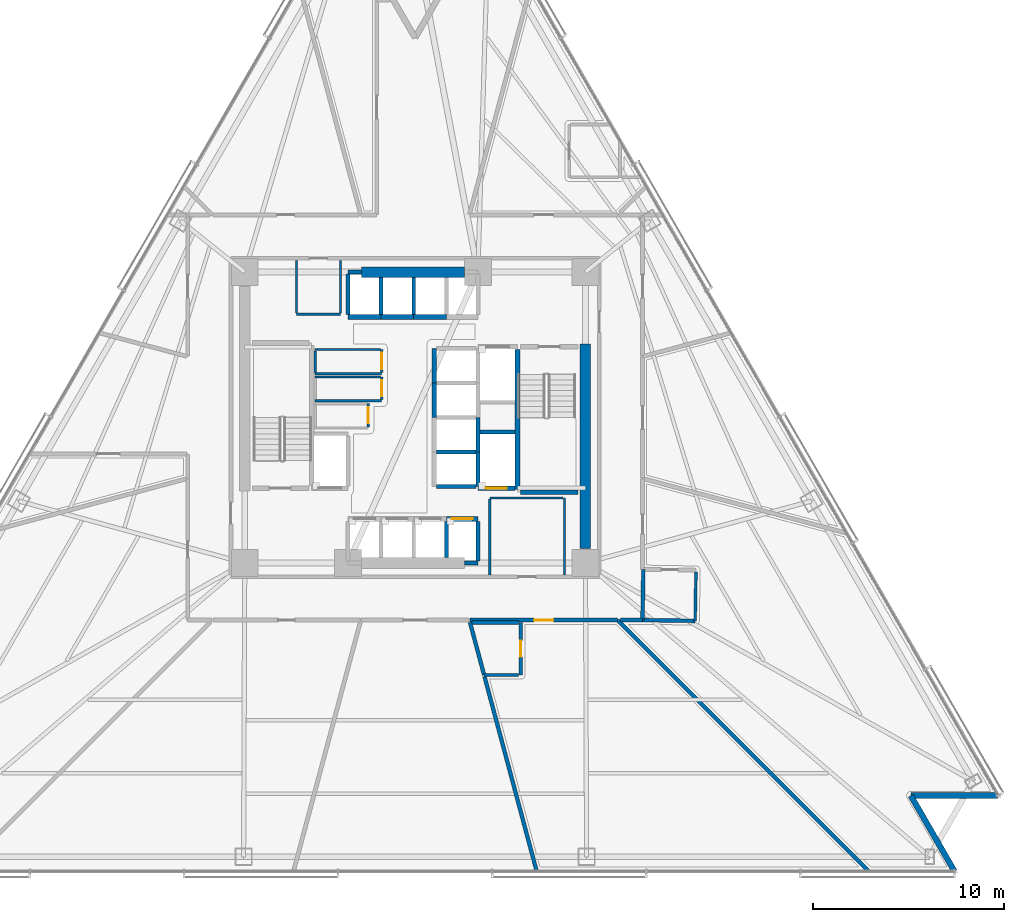
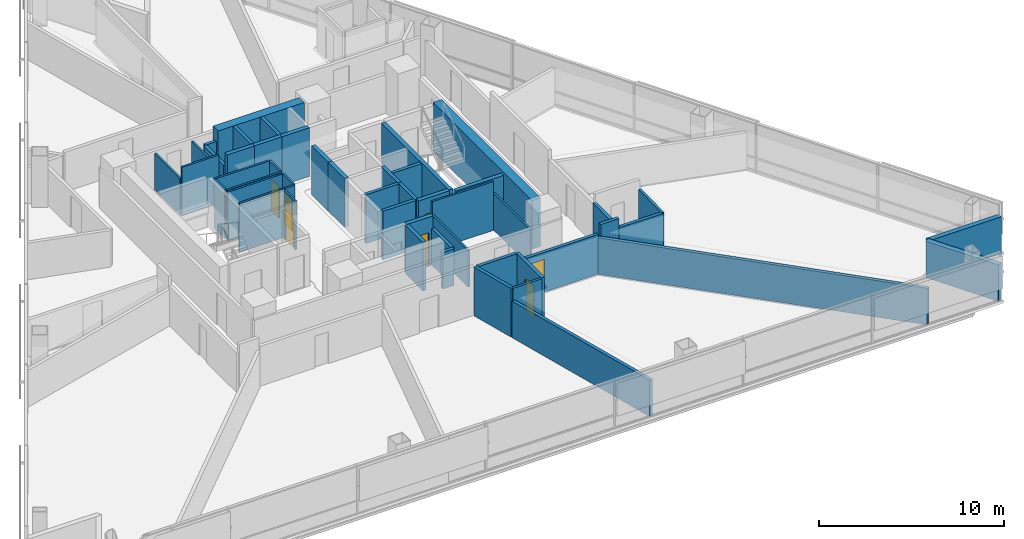
# One storey, part 8 of 16: 50 walls, 7 doors, 7 openings.
"""IFC4 building model written with IfcOpenShell, lengths in metres."""

from ifc_helpers import new_model, si_unit, direction, frame, frame_2d, origin, place, context, subcontext, project, spatial, rectangle, extrude, material, layer, layer_set, type_object, element, fill, save


model = new_model("IFC4")

# Units and contexts
model_context = context("Model", 3, precision=1e-05, world=origin(), true_north=direction((0.0, 1.0)))
body_context = subcontext(model_context, "Body", "Model", "MODEL_VIEW")
ifc_project = project(units=[si_unit("LENGTHUNIT", "METRE"), si_unit("AREAUNIT", "SQUARE_METRE"), si_unit("VOLUMEUNIT", "CUBIC_METRE"), si_unit("PLANEANGLEUNIT", "RADIAN"), si_unit("MASSUNIT", "GRAM", prefix="KILO")], contexts=[model_context])

# Site, building, storey
site_placement = place(None, origin())
site = spatial("IfcSite", under=ifc_project, at=site_placement, CompositionType="ELEMENT")
building_placement = place(site_placement, origin())
building = spatial("IfcBuilding", under=site, at=building_placement, Name="Tharavind Bronze Gate", CompositionType="ELEMENT")
storey_placement = place(building_placement, frame((0.0, 0.0, 48.85009765625)))
storey = spatial("IfcBuildingStorey", under=building, at=storey_placement, Name="L11", CompositionType="ELEMENT", Elevation=48.85009765625)

# Walls
ifc_material_1 = material(Name="Concrete C40/50", Category="concrete")
ifc_layer_1 = layer(ifc_material_1, 0.300048828125)
ifc_layer_set_1 = layer_set([ifc_layer_1], Name="Concrete C40/50")
wall_type_1 = type_object("IfcWallType", Name="EXTERIOR SPANDREL WALL 300", PredefinedType="STANDARD", material=ifc_layer_set_1)
wall_1_placement = place(storey_placement, frame((28.17578125, -23.699951171875, 0.0), z_axis=(0.0, 0.0, 1.0), x_axis=(-0.500014431597, 0.866017071537, 0.0)))
element("IfcWall", 1, at=wall_1_placement, inside=storey, type_object=wall_type_1, Name="L11 notch cheek wall 3A", PredefinedType="STANDARD", context=body_context, shape_type="SweptSolid", body=[
    extrude(rectangle(XDim=4.559814453125, YDim=0.300048828125, at=frame_2d((2.27978515625, 0.0))), origin(), (0.0, 0.0, 1.0), 2.419921875),
])
wall_2_placement = place(storey_placement, frame((25.895751953125, -19.7509765625, 0.0), z_axis=(0.0, 0.0, 1.0), x_axis=(1.0, 0.0, 0.0)))
element("IfcWall", 2, at=wall_2_placement, inside=storey, type_object=wall_type_1, Name="L11 notch cheek wall 3B", PredefinedType="STANDARD", context=body_context, shape_type="SweptSolid", body=[
    extrude(rectangle(XDim=4.56005859375, YDim=0.300048828125, at=frame_2d((2.280029296875, 0.0))), origin(), (0.0, 0.0, 1.0), 2.419921875),
])

# Wall, opening, door
ifc_material_2 = material(Name="Aerated Concrete Block", Category="concrete")
ifc_layer_2 = layer(ifc_material_2, 0.199951171875)
ifc_layer_set_2 = layer_set([ifc_layer_2], Name="Aerated Concrete Block")
wall_type_2 = type_object("IfcWallType", Name="FIRE RATED PARTITION 200", PredefinedType="PARTITIONING", material=ifc_layer_set_2)
wall_3_placement = place(storey_placement, frame((5.51708984375, -10.699951171875, 0.0), z_axis=(0.0, 0.0, 1.0), x_axis=(0.0, -1.0, 0.0)))
wall_3 = element("IfcWall", 3, at=wall_3_placement, inside=storey, type_object=wall_type_2, Name="L11 En-Suite Bathroom partition", PredefinedType="PARTITIONING", context=body_context, shape_type="SweptSolid", body=[
    extrude(rectangle(XDim=2.75, YDim=0.199951171875, at=frame_2d((1.375, 0.0))), origin(), (0.0, 0.0, 1.0), 3.224853515625),
])
opening_1_placement = place(wall_3_placement, frame((0.949951171875, 0.0, 0.0)))
opening_1 = element("IfcOpeningElement", 4, at=opening_1_placement, cuts=wall_3, Name="Opening ID06", PredefinedType="OPENING", context=body_context, shape_type="SweptSolid", body=[
    extrude(rectangle(XDim=0.85009765625, YDim=2.10009765625, at=frame_2d((0.425048828125, 1.050048828125))), frame((0.0, 0.11009765625, 0.0), z_axis=(0.0, -1.0, 0.0), x_axis=(1.0, 0.0, 0.0)), (0.0, 0.0, 1.0), 0.219951171875),
])
ifc_material_3 = material(Name="Moisture-Resistant Timber", Category="wood")
door_type_1 = type_object("IfcDoorType", Name="BATHROOM PRIVACY DOOR 850X2100", OperationType="SINGLE_SWING_RIGHT", PredefinedType="DOOR", material=ifc_material_3)
door_1_placement = place(opening_1_placement, origin())
door_1 = element("IfcDoor", 5, at=door_1_placement, inside=storey, type_object=door_type_1, Name="L11 En-Suite Bathroom door", OperationType="SINGLE_SWING_RIGHT", OverallHeight=2.10009765625, OverallWidth=0.85009765625, PredefinedType="DOOR", context=body_context, shape_type="SweptSolid", body=[
    extrude(rectangle(XDim=0.85009765625, YDim=2.10009765625, at=frame_2d((0.425048828125, 1.050048828125))), frame((0.0, 0.02490234375, 0.0), z_axis=(0.0, -1.0, 0.0), x_axis=(1.0, 0.0, 0.0)), (0.0, 0.0, 1.0), 0.050048828125),
])
fill(opening_1, door_1)

# Walls
wall_4_placement = place(storey_placement, frame((3.60400390625, -13.449951171875, 0.0), z_axis=(0.0, 0.0, 1.0), x_axis=(-0.258804667121, 0.965929678743, 0.0)))
element("IfcWall", 6, at=wall_4_placement, inside=storey, type_object=wall_type_2, Name="L11 En-Suite Bathroom partition", PredefinedType="PARTITIONING", context=body_context, shape_type="SweptSolid", body=[
    extrude(rectangle(XDim=2.846923828125, YDim=0.199951171875, at=frame_2d((1.42333984375, 0.0))), origin(), (0.0, 0.0, 1.0), 3.224853515625),
])
wall_5_placement = place(storey_placement, frame((2.975830078125, -10.699951171875, 0.0), z_axis=(0.0, 0.0, 1.0), x_axis=(1.0, 0.0, 0.0)))
element("IfcWall", 7, at=wall_5_placement, inside=storey, type_object=wall_type_2, Name="L11 En-Suite Bathroom partition", PredefinedType="PARTITIONING", context=body_context, shape_type="SweptSolid", body=[
    extrude(rectangle(XDim=2.436279296875, YDim=0.199951171875, at=frame_2d((1.21826171875, 0.0))), origin(), (0.0, 0.0, 1.0), 3.224853515625),
])
wall_6_placement = place(storey_placement, frame((14.629638671875, -10.624755859375, 0.0), z_axis=(0.0, 0.0, 1.0), x_axis=(-0.999868029143, 0.016245747077, 0.0)))
element("IfcWall", 8, at=wall_6_placement, inside=storey, type_object=wall_type_2, Name="L11 En-Suite Bathroom partition", PredefinedType="PARTITIONING", context=body_context, shape_type="SweptSolid", body=[
    extrude(rectangle(XDim=2.75, YDim=0.199951171875, at=frame_2d((1.375, 0.0))), origin(), (0.0, 0.0, 1.0), 2.619873046875),
])
wall_7_placement = place(storey_placement, frame((11.8798828125, -10.578125, 0.0), z_axis=(0.0, 0.0, 1.0), x_axis=(0.016318711927, 0.999866840955, 0.0)))
element("IfcWall", 9, at=wall_7_placement, inside=storey, type_object=wall_type_2, Name="L11 En-Suite Bathroom partition", PredefinedType="PARTITIONING", context=body_context, shape_type="SweptSolid", body=[
    extrude(rectangle(XDim=2.64794921875, YDim=0.199951171875, at=frame_2d((1.323974609375, 0.0))), origin(), (0.0, 0.0, 1.0), 2.619873046875),
])
wall_8_placement = place(storey_placement, frame((3.62548828125, -13.530029296875, 0.0), z_axis=(0.0, 0.0, 1.0), x_axis=(0.258804083219, -0.96592983519, 0.0)))
element("IfcWall", 10, at=wall_8_placement, inside=storey, type_object=wall_type_2, Name="L11 Hotel Guest Lounge partition", PredefinedType="PARTITIONING", context=body_context, shape_type="SweptSolid", body=[
    extrude(rectangle(XDim=10.528564453125, YDim=0.199951171875, at=frame_2d((5.26416015625, 0.0))), origin(), (0.0, 0.0, 1.0), 2.419921875),
])

# Wall, opening, door
wall_9_placement = place(storey_placement, frame((2.867431640625, -10.580078125, 0.0), z_axis=(0.0, 0.0, 1.0), x_axis=(1.0, 0.0, 0.0)))
wall_9 = element("IfcWall", 11, at=wall_9_placement, inside=storey, type_object=wall_type_2, Name="L11 Presidential Hotel Suite partition", PredefinedType="PARTITIONING", context=body_context, shape_type="SweptSolid", body=[
    extrude(rectangle(XDim=7.7021484375, YDim=0.199951171875, at=frame_2d((3.85107421875, 0.0))), origin(), (0.0, 0.0, 1.0), 2.619873046875),
])
opening_2_placement = place(wall_9_placement, frame((3.35107421875, 0.0, 0.0)))
opening_2 = element("IfcOpeningElement", 12, at=opening_2_placement, cuts=wall_9, Name="Opening ID03", PredefinedType="OPENING", context=body_context, shape_type="SweptSolid", body=[
    extrude(rectangle(XDim=1.0, YDim=2.14990234375, at=frame_2d((0.5, 1.074951171875))), frame((0.0, 0.11009765625, 0.0), z_axis=(0.0, -1.0, 0.0), x_axis=(1.0, 0.0, 0.0)), (0.0, 0.0, 1.0), 0.219951171875),
])
ifc_material_4 = material(Name="Solid Timber Veneer", Category="wood")
door_type_2 = type_object("IfcDoorType", Name="HOTEL SUITE ENTRANCE DOOR 1000X2150", OperationType="SINGLE_SWING_LEFT", PredefinedType="DOOR", material=ifc_material_4)
door_2_placement = place(opening_2_placement, origin())
door_2 = element("IfcDoor", 13, at=door_2_placement, inside=storey, type_object=door_type_2, Name="L11 Presidential Hotel Suite door", OperationType="SINGLE_SWING_LEFT", OverallHeight=2.14990234375, OverallWidth=1.0, PredefinedType="DOOR", context=body_context, shape_type="SweptSolid", body=[
    extrude(rectangle(XDim=1.0, YDim=2.14990234375, at=frame_2d((0.5, 1.074951171875))), frame((0.0, 0.02490234375, 0.0), z_axis=(0.0, -1.0, 0.0), x_axis=(1.0, 0.0, 0.0)), (0.0, 0.0, 1.0), 0.050048828125),
])
fill(opening_2, door_2)

# Walls
wall_10_placement = place(storey_placement, frame((10.58740234375, -10.58740234375, 0.0), z_axis=(0.0, 0.0, 1.0), x_axis=(0.707106781187, -0.707106781187, 0.0)))
element("IfcWall", 14, at=wall_10_placement, inside=storey, type_object=wall_type_2, Name="L11 Presidential Hotel Suite partition", PredefinedType="PARTITIONING", context=body_context, shape_type="SweptSolid", body=[
    extrude(rectangle(XDim=18.5439453125, YDim=0.199951171875, at=frame_2d((9.27197265625, 0.0))), origin(), (0.0, 0.0, 1.0), 2.419921875),
])
wall_11_placement = place(storey_placement, frame((10.728515625, -10.580078125, 0.0), z_axis=(0.0, 0.0, 1.0), x_axis=(1.0, 0.0, 0.0)))
element("IfcWall", 15, at=wall_11_placement, inside=storey, type_object=wall_type_2, Name="L11 Royal Hotel Suite partition", PredefinedType="PARTITIONING", context=body_context, shape_type="SweptSolid", body=[
    extrude(rectangle(XDim=1.15087890625, YDim=0.199951171875, at=frame_2d((0.575439453125, 0.0))), origin(), (0.0, 0.0, 1.0), 3.224853515625),
])
ifc_material_5 = material(Name="Metal Stud Gypsum Partition", Category="gypsum")
ifc_layer_3 = layer(ifc_material_5, 0.1201171875)
ifc_layer_set_3 = layer_set([ifc_layer_3], Name="Metal Stud Gypsum Partition")
wall_type_3 = type_object("IfcWallType", Name="INTERIOR PARTITION WALL 120", PredefinedType="PARTITIONING", material=ifc_layer_set_3)
wall_12_placement = place(storey_placement, frame((-5.219970703125, 2.280029296875, 0.0), z_axis=(0.0, 0.0, 1.0), x_axis=(1.0, 0.0, 0.0)))
element("IfcWall", 16, at=wall_12_placement, inside=storey, type_object=wall_type_3, Name="L11 Housekeeping Linen Store partition 1", PredefinedType="PARTITIONING", context=body_context, shape_type="SweptSolid", body=[
    extrude(rectangle(XDim=3.469970703125, YDim=0.1201171875, at=frame_2d((1.73486328125, 0.0))), origin(), (0.0, 0.0, 1.0), 3.224853515625),
])

# Wall, opening, door
wall_13_placement = place(storey_placement, frame((-1.75, 2.344970703125, 0.0), z_axis=(0.0, 0.0, 1.0), x_axis=(0.0, 1.0, 0.0)))
wall_13 = element("IfcWall", 17, at=wall_13_placement, inside=storey, type_object=wall_type_3, Name="L11 Housekeeping Linen Store partition 2", PredefinedType="PARTITIONING", context=body_context, shape_type="SweptSolid", body=[
    extrude(rectangle(XDim=1.205078125, YDim=0.1201171875, at=frame_2d((0.6025390625, 0.0))), origin(), (0.0, 0.0, 1.0), 3.224853515625),
])
opening_3_placement = place(wall_13_placement, frame((0.177001953125, 0.0, 0.0)))
opening_3 = element("IfcOpeningElement", 18, at=opening_3_placement, cuts=wall_13, Name="Opening ID06", PredefinedType="OPENING", context=body_context, shape_type="SweptSolid", body=[
    extrude(rectangle(XDim=0.85009765625, YDim=2.10009765625, at=frame_2d((0.425048828125, 1.050048828125))), frame((0.0, 0.07005859375, 0.0), z_axis=(0.0, -1.0, 0.0), x_axis=(1.0, 0.0, 0.0)), (0.0, 0.0, 1.0), 0.1401171875),
])
door_3_placement = place(opening_3_placement, frame((0.85009765625, 0.0, 0.0), z_axis=(0.0, 0.0, 1.0), x_axis=(-1.0, 0.0, 0.0)))
door_3 = element("IfcDoor", 19, at=door_3_placement, inside=storey, type_object=door_type_1, Name="L11 Housekeeping Linen Store door", OperationType="SINGLE_SWING_RIGHT", OverallHeight=2.10009765625, OverallWidth=0.85009765625, PredefinedType="DOOR", context=body_context, shape_type="SweptSolid", body=[
    extrude(rectangle(XDim=0.85009765625, YDim=2.10009765625, at=frame_2d((0.425048828125, 1.050048828125))), frame((0.0, 0.02490234375, 0.0), z_axis=(0.0, -1.0, 0.0), x_axis=(1.0, 0.0, 0.0)), (0.0, 0.0, 1.0), 0.050048828125),
])
fill(opening_3, door_3)

# Walls
wall_14_placement = place(storey_placement, frame((-1.81494140625, 3.550048828125, 0.0), z_axis=(0.0, 0.0, 1.0), x_axis=(-1.0, 0.0, 0.0)))
element("IfcWall", 20, at=wall_14_placement, inside=storey, type_object=wall_type_3, Name="L11 Housekeeping Linen Store partition 3", PredefinedType="PARTITIONING", context=body_context, shape_type="SweptSolid", body=[
    extrude(rectangle(XDim=3.405029296875, YDim=0.1201171875, at=frame_2d((1.70263671875, 0.0))), origin(), (0.0, 0.0, 1.0), 3.224853515625),
])
wall_15_placement = place(storey_placement, frame((-5.219970703125, 3.485107421875, 0.0), z_axis=(0.0, 0.0, 1.0), x_axis=(0.0, -1.0, 0.0)))
element("IfcWall", 21, at=wall_15_placement, inside=storey, type_object=wall_type_3, Name="L11 Housekeeping Linen Store partition 4", PredefinedType="PARTITIONING", context=body_context, shape_type="SweptSolid", body=[
    extrude(rectangle(XDim=1.14013671875, YDim=0.1201171875, at=frame_2d((0.570068359375, 0.0))), origin(), (0.0, 0.0, 1.0), 3.224853515625),
])
wall_16_placement = place(storey_placement, frame((-5.219970703125, 0.8798828125, 0.0), z_axis=(0.0, 0.0, 1.0), x_axis=(1.0, 0.0, 0.0)))
element("IfcWall", 22, at=wall_16_placement, inside=storey, type_object=wall_type_3, Name="L11 Comms Data Room partition 1", PredefinedType="PARTITIONING", context=body_context, shape_type="SweptSolid", body=[
    extrude(rectangle(XDim=3.469970703125, YDim=0.1201171875, at=frame_2d((1.73486328125, 0.0))), origin(), (0.0, 0.0, 1.0), 3.224853515625),
])

# Wall, opening, door
wall_17_placement = place(storey_placement, frame((-1.75, 0.945068359375, 0.0), z_axis=(0.0, 0.0, 1.0), x_axis=(0.0, 1.0, 0.0)))
wall_17 = element("IfcWall", 23, at=wall_17_placement, inside=storey, type_object=wall_type_3, Name="L11 Comms Data Room partition 2", PredefinedType="PARTITIONING", context=body_context, shape_type="SweptSolid", body=[
    extrude(rectangle(XDim=1.175048828125, YDim=0.1201171875, at=frame_2d((0.58740234375, 0.0))), origin(), (0.0, 0.0, 1.0), 3.224853515625),
])
opening_4_placement = place(wall_17_placement, frame((0.1630859375, 0.0, 0.0)))
opening_4 = element("IfcOpeningElement", 24, at=opening_4_placement, cuts=wall_17, Name="Opening ID06", PredefinedType="OPENING", context=body_context, shape_type="SweptSolid", body=[
    extrude(rectangle(XDim=0.85009765625, YDim=2.10009765625, at=frame_2d((0.425048828125, 1.050048828125))), frame((0.0, 0.07005859375, 0.0), z_axis=(0.0, -1.0, 0.0), x_axis=(1.0, 0.0, 0.0)), (0.0, 0.0, 1.0), 0.1401171875),
])
door_4_placement = place(opening_4_placement, frame((0.85009765625, 0.0, 0.0), z_axis=(0.0, 0.0, 1.0), x_axis=(-1.0, 0.0, 0.0)))
door_4 = element("IfcDoor", 25, at=door_4_placement, inside=storey, type_object=door_type_1, Name="L11 Comms Data Room door", OperationType="SINGLE_SWING_RIGHT", OverallHeight=2.10009765625, OverallWidth=0.85009765625, PredefinedType="DOOR", context=body_context, shape_type="SweptSolid", body=[
    extrude(rectangle(XDim=0.85009765625, YDim=2.10009765625, at=frame_2d((0.425048828125, 1.050048828125))), frame((0.0, 0.02490234375, 0.0), z_axis=(0.0, -1.0, 0.0), x_axis=(1.0, 0.0, 0.0)), (0.0, 0.0, 1.0), 0.050048828125),
])
fill(opening_4, door_4)

# Wall
wall_18_placement = place(storey_placement, frame((-1.81494140625, 2.1201171875, 0.0), z_axis=(0.0, 0.0, 1.0), x_axis=(-1.0, 0.0, 0.0)))
element("IfcWall", 26, at=wall_18_placement, inside=storey, type_object=wall_type_3, Name="L11 Comms Data Room partition 3", PredefinedType="PARTITIONING", context=body_context, shape_type="SweptSolid", body=[
    extrude(rectangle(XDim=3.405029296875, YDim=0.1201171875, at=frame_2d((1.70263671875, 0.0))), origin(), (0.0, 0.0, 1.0), 3.224853515625),
])

# Wall, opening, door
wall_19_placement = place(storey_placement, frame((-2.449951171875, -0.485107421875, 0.0), z_axis=(0.0, 0.0, 1.0), x_axis=(0.0, 1.0, 0.0)))
wall_19 = element("IfcWall", 27, at=wall_19_placement, inside=storey, type_object=wall_type_3, Name="L11 Electrical Metering Store partition 2", PredefinedType="PARTITIONING", context=body_context, shape_type="SweptSolid", body=[
    extrude(rectangle(XDim=1.205078125, YDim=0.1201171875, at=frame_2d((0.6025390625, 0.0))), origin(), (0.0, 0.0, 1.0), 3.224853515625),
])
opening_5_placement = place(wall_19_placement, frame((0.177978515625, 0.0, 0.0)))
opening_5 = element("IfcOpeningElement", 28, at=opening_5_placement, cuts=wall_19, Name="Opening ID06", PredefinedType="OPENING", context=body_context, shape_type="SweptSolid", body=[
    extrude(rectangle(XDim=0.85009765625, YDim=2.10009765625, at=frame_2d((0.425048828125, 1.050048828125))), frame((0.0, 0.07005859375, 0.0), z_axis=(0.0, -1.0, 0.0), x_axis=(1.0, 0.0, 0.0)), (0.0, 0.0, 1.0), 0.1401171875),
])
door_5_placement = place(opening_5_placement, frame((0.85009765625, 0.0, 0.0), z_axis=(0.0, 0.0, 1.0), x_axis=(-1.0, 0.0, 0.0)))
door_5 = element("IfcDoor", 29, at=door_5_placement, inside=storey, type_object=door_type_1, Name="L11 Electrical Metering Store door", OperationType="SINGLE_SWING_RIGHT", OverallHeight=2.10009765625, OverallWidth=0.85009765625, PredefinedType="DOOR", context=body_context, shape_type="SweptSolid", body=[
    extrude(rectangle(XDim=0.85009765625, YDim=2.10009765625, at=frame_2d((0.425048828125, 1.050048828125))), frame((0.0, 0.02490234375, 0.0), z_axis=(0.0, -1.0, 0.0), x_axis=(1.0, 0.0, 0.0)), (0.0, 0.0, 1.0), 0.050048828125),
])
fill(opening_5, door_5)

# Walls
wall_20_placement = place(storey_placement, frame((-6.199951171875, 5.39990234375, 0.0), z_axis=(0.0, 0.0, 1.0), x_axis=(1.0, 0.0, 0.0)))
element("IfcWall", 30, at=wall_20_placement, inside=storey, type_object=wall_type_3, Name="L11 Electrical Switch Cupboard partition 1", PredefinedType="PARTITIONING", context=body_context, shape_type="SweptSolid", body=[
    extrude(rectangle(XDim=2.300048828125, YDim=0.1201171875, at=frame_2d((1.14990234375, 0.0))), origin(), (0.0, 0.0, 1.0), 3.224853515625),
])
for number, where, z_axis, x_axis, name in (
    (31, (-3.89990234375, 5.465087890625, 0.0), (0.0, 0.0, 1.0), (0.0, 1.0, 0.0), "L11 Electrical Switch Cupboard partition 2"),
    (32, (-6.199951171875, 8.215087890625, 0.0), (0.0, 0.0, 1.0), (0.0, -1.0, 0.0), "L11 Electrical Switch Cupboard partition 4"),
):
    element("IfcWall", number, at=place(storey_placement, frame(where, z_axis=z_axis, x_axis=x_axis)), inside=storey, type_object=wall_type_3, Name=name, PredefinedType="PARTITIONING", context=body_context, shape_type="SweptSolid", body=[
        extrude(rectangle(XDim=2.75, YDim=0.1201171875, at=frame_2d((1.375, 0.0))), origin(), (0.0, 0.0, 1.0), 2.419921875),
    ])
wall_21_placement = place(storey_placement, frame((7.800048828125, -8.215087890625, 0.0), z_axis=(0.0, 0.0, 1.0), x_axis=(0.0, 1.0, 0.0)))
element("IfcWall", 33, at=wall_21_placement, inside=storey, type_object=wall_type_3, Name="L11 Telecom Metering Room partition 2", PredefinedType="PARTITIONING", context=body_context, shape_type="SweptSolid", body=[
    extrude(rectangle(XDim=4.01513671875, YDim=0.1201171875, at=frame_2d((2.007568359375, 0.0))), origin(), (0.0, 0.0, 1.0), 2.419921875),
])
wall_22_placement = place(storey_placement, frame((7.735107421875, -4.199951171875, 0.0), z_axis=(0.0, 0.0, 1.0), x_axis=(-1.0, 0.0, 0.0)))
element("IfcWall", 34, at=wall_22_placement, inside=storey, type_object=wall_type_3, Name="L11 Telecom Metering Room partition 3", PredefinedType="PARTITIONING", context=body_context, shape_type="SweptSolid", body=[
    extrude(rectangle(XDim=3.835205078125, YDim=0.1201171875, at=frame_2d((1.91748046875, 0.0))), origin(), (0.0, 0.0, 1.0), 3.224853515625),
])
wall_23_placement = place(storey_placement, frame((3.89990234375, -4.264892578125, 0.0), z_axis=(0.0, 0.0, 1.0), x_axis=(0.0, -1.0, 0.0)))
element("IfcWall", 35, at=wall_23_placement, inside=storey, type_object=wall_type_3, Name="L11 Telecom Metering Room partition 4", PredefinedType="PARTITIONING", context=body_context, shape_type="SweptSolid", body=[
    extrude(rectangle(XDim=3.9501953125, YDim=0.1201171875, at=frame_2d((1.97509765625, 0.0))), origin(), (0.0, 0.0, 1.0), 2.419921875),
])
ifc_material_6 = material(Name="Twin Stud Acoustic Gypsum", Category="gypsum")
ifc_layer_4 = layer(ifc_material_6, 0.14990234375)
ifc_layer_set_4 = layer_set([ifc_layer_4], Name="Twin Stud Acoustic Gypsum")
wall_type_4 = type_object("IfcWallType", Name="INTERIOR PARTITION WALL 150", PredefinedType="PARTITIONING", material=ifc_layer_set_4)
wall_24_placement = place(storey_placement, frame((5.412109375, -13.449951171875, 0.0), z_axis=(0.0, 0.0, 1.0), x_axis=(-1.0, 0.0, 0.0)))
element("IfcWall", 36, at=wall_24_placement, inside=storey, type_object=wall_type_4, Name="L11 En-Suite Bathroom partition", PredefinedType="PARTITIONING", context=body_context, shape_type="SweptSolid", body=[
    extrude(rectangle(XDim=1.80810546875, YDim=0.14990234375, at=frame_2d((0.904052734375, 0.0))), origin(), (0.0, 0.0, 1.0), 3.224853515625),
])
wall_25_placement = place(storey_placement, frame((14.671142578125, -8.080078125, 0.0), z_axis=(0.0, 0.0, 1.0), x_axis=(-0.016307914507, -0.99986701712, 0.0)))
element("IfcWall", 37, at=wall_25_placement, inside=storey, type_object=wall_type_4, Name="L11 En-Suite Bathroom partition", PredefinedType="PARTITIONING", context=body_context, shape_type="SweptSolid", body=[
    extrude(rectangle(XDim=2.544921875, YDim=0.14990234375, at=frame_2d((1.2724609375, 0.0))), origin(), (0.0, 0.0, 1.0), 2.619873046875),
])
ifc_material_7 = material(Name="Concrete C50/60", Category="concrete")
ifc_layer_5 = layer(ifc_material_7, 0.25)
ifc_layer_set_5 = layer_set([ifc_layer_5], Name="Concrete C50/60")
wall_type_5 = type_object("IfcWallType", Name="RC CORE SHEAR WALL 250", PredefinedType="SHEAR", material=ifc_layer_set_5)
wall_26_placement = place(storey_placement, frame((5.35009765625, -3.75, 0.0), z_axis=(0.0, 0.0, 1.0), x_axis=(0.0, 1.0, 0.0)))
element("IfcWall", 38, at=wall_26_placement, inside=storey, type_object=wall_type_5, Name="L11 ST2 shaft west wall", PredefinedType="SHEAR", context=body_context, shape_type="SweptSolid", body=[
    extrude(rectangle(XDim=7.300048828125, YDim=0.25, at=frame_2d((3.64990234375, 0.0))), origin(), (0.0, 0.0, 1.0), 3.224853515625),
])
wall_27_placement = place(storey_placement, frame((5.5, -3.89990234375, 0.0), z_axis=(0.0, 0.0, 1.0), x_axis=(1.0, 0.0, 0.0)))
element("IfcWall", 39, at=wall_27_placement, inside=storey, type_object=wall_type_5, Name="L11 ST2 shaft south wall", PredefinedType="SHEAR", context=body_context, shape_type="SweptSolid", body=[
    extrude(rectangle(XDim=3.0, YDim=0.25, at=frame_2d((1.5, 0.0))), origin(), (0.0, 0.0, 1.0), 3.224853515625),
])

# Wall, opening, door
wall_28_placement = place(storey_placement, frame((1.637451171875, -5.300048828125, 0.0), z_axis=(0.0, 0.0, 1.0), x_axis=(1.0, 0.0, 0.0)))
wall_28 = element("IfcWall", 40, at=wall_28_placement, inside=storey, type_object=wall_type_5, Name="L11 lift PL4 shaft front wall", PredefinedType="SHEAR", context=body_context, shape_type="SweptSolid", body=[
    extrude(rectangle(XDim=1.642578125, YDim=0.25, at=frame_2d((0.8212890625, 0.0))), origin(), (0.0, 0.0, 1.0), 3.224853515625),
])
opening_6_placement = place(wall_28_placement, frame((0.27099609375, 0.0, 0.0)))
opening_6 = element("IfcOpeningElement", 41, at=opening_6_placement, cuts=wall_28, Name="Opening LD01", PredefinedType="OPENING", context=body_context, shape_type="SweptSolid", body=[
    extrude(rectangle(XDim=1.10009765625, YDim=2.199951171875, at=frame_2d((0.550048828125, 1.10009765625))), frame((0.0, 0.135, 0.0), z_axis=(0.0, -1.0, 0.0), x_axis=(1.0, 0.0, 0.0)), (0.0, 0.0, 1.0), 0.27),
])
ifc_material_8 = material(Name="Brushed Bronze Stainless Steel", Category="steel")
door_type_3 = type_object("IfcDoorType", Name="LIFT LANDING SLIDING DOOR 1100X2200", OperationType="SLIDING_TO_LEFT", PredefinedType="DOOR", material=ifc_material_8)
door_6_placement = place(opening_6_placement, origin())
door_6 = element("IfcDoor", 42, at=door_6_placement, inside=storey, type_object=door_type_3, Name="L11 lift PL4 sliding landing door", OperationType="SLIDING_TO_LEFT", OverallHeight=2.199951171875, OverallWidth=1.10009765625, PredefinedType="DOOR", context=body_context, shape_type="SweptSolid", body=[
    extrude(rectangle(XDim=1.10009765625, YDim=2.199951171875, at=frame_2d((0.550048828125, 1.10009765625))), frame((0.0, 0.02490234375, 0.0), z_axis=(0.0, -1.0, 0.0), x_axis=(1.0, 0.0, 0.0)), (0.0, 0.0, 1.0), 0.050048828125),
])
fill(opening_6, door_6)

# Walls
wall_29_placement = place(storey_placement, frame((-3.5, 5.25, 0.0), z_axis=(0.0, 0.0, 1.0), x_axis=(1.0, 0.0, 0.0)))
element("IfcWall", 43, at=wall_29_placement, inside=storey, type_object=wall_type_5, Name="L11 lift PL5 shaft front wall", PredefinedType="SHEAR", context=body_context, shape_type="SweptSolid", body=[
    extrude(rectangle(XDim=1.71240234375, YDim=0.25, at=frame_2d((0.856201171875, 0.0))), origin(), (0.0, 0.0, 1.0), 3.224853515625),
])
wall_30_placement = place(storey_placement, frame((-1.78759765625, 5.25, 0.0), z_axis=(0.0, 0.0, 1.0), x_axis=(1.0, 0.0, 0.0)))
element("IfcWall", 44, at=wall_30_placement, inside=storey, type_object=wall_type_5, Name="L11 lift PL6 shaft front wall", PredefinedType="SHEAR", context=body_context, shape_type="SweptSolid", body=[
    extrude(rectangle(XDim=1.712646484375, YDim=0.25, at=frame_2d((0.8564453125, 0.0))), origin(), (0.0, 0.0, 1.0), 3.224853515625),
])
wall_31_placement = place(storey_placement, frame((-0.074951171875, 5.25, 0.0), z_axis=(0.0, 0.0, 1.0), x_axis=(1.0, 0.0, 0.0)))
element("IfcWall", 45, at=wall_31_placement, inside=storey, type_object=wall_type_5, Name="L11 lift PL7 shaft front wall", PredefinedType="SHEAR", context=body_context, shape_type="SweptSolid", body=[
    extrude(rectangle(XDim=1.71240234375, YDim=0.25, at=frame_2d((0.856201171875, 0.0))), origin(), (0.0, 0.0, 1.0), 3.224853515625),
])
for number, where, z_axis, x_axis, name in (
    (46, (1.0, 0.0, 0.0), (0.0, 0.0, 1.0), (0.0, 1.0, 0.0), "L11 lift PL11 shaft front wall"),
    (47, (1.0, 1.800048828125, 0.0), (0.0, 0.0, 1.0), (0.0, 1.0, 0.0), "L11 lift PL12 shaft front wall"),
):
    element("IfcWall", number, at=place(storey_placement, frame(where, z_axis=z_axis, x_axis=x_axis)), inside=storey, type_object=wall_type_5, Name=name, PredefinedType="SHEAR", context=body_context, shape_type="SweptSolid", body=[
        extrude(rectangle(XDim=1.800048828125, YDim=0.25, at=frame_2d((0.89990234375, 0.0))), origin(), (0.0, 0.0, 1.0), 3.224853515625),
    ])

# Wall, opening, door
wall_32_placement = place(storey_placement, frame((3.280029296875, -3.699951171875, 0.0), z_axis=(0.0, 0.0, 1.0), x_axis=(1.0, 0.0, 0.0)))
wall_32 = element("IfcWall", 48, at=wall_32_placement, inside=storey, type_object=wall_type_5, Name="L11 lift SVL1 shaft front wall", PredefinedType="SHEAR", context=body_context, shape_type="SweptSolid", body=[
    extrude(rectangle(XDim=1.93994140625, YDim=0.25, at=frame_2d((0.969970703125, 0.0))), origin(), (0.0, 0.0, 1.0), 3.224853515625),
])
opening_7_placement = place(wall_32_placement, frame((0.419921875, 0.0, 0.0)))
opening_7 = element("IfcOpeningElement", 49, at=opening_7_placement, cuts=wall_32, Name="Opening LD01", PredefinedType="OPENING", context=body_context, shape_type="SweptSolid", body=[
    extrude(rectangle(XDim=1.10009765625, YDim=2.199951171875, at=frame_2d((0.550048828125, 1.10009765625))), frame((0.0, 0.135, 0.0), z_axis=(0.0, -1.0, 0.0), x_axis=(1.0, 0.0, 0.0)), (0.0, 0.0, 1.0), 0.27),
])
door_7_placement = place(opening_7_placement, origin())
door_7 = element("IfcDoor", 50, at=door_7_placement, inside=storey, type_object=door_type_3, Name="L11 lift SVL1 sliding landing door", OperationType="SLIDING_TO_LEFT", OverallHeight=2.199951171875, OverallWidth=1.10009765625, PredefinedType="DOOR", context=body_context, shape_type="SweptSolid", body=[
    extrude(rectangle(XDim=1.10009765625, YDim=2.199951171875, at=frame_2d((0.550048828125, 1.10009765625))), frame((0.0, 0.02490234375, 0.0), z_axis=(0.0, -1.0, 0.0), x_axis=(1.0, 0.0, 0.0)), (0.0, 0.0, 1.0), 0.050048828125),
])
fill(opening_7, door_7)

# Walls
ifc_material_9 = material(Name="Concrete C60/75", Category="concrete")
ifc_layer_6 = layer(ifc_material_9, 0.550048828125)
ifc_layer_set_6 = layer_set([ifc_layer_6], Name="Concrete C60/75")
wall_type_6 = type_object("IfcWallType", Name="RC CORE SHEAR WALL 550", PredefinedType="SHEAR", material=ifc_layer_set_6)
wall_33_placement = place(storey_placement, frame((-2.800048828125, 7.60009765625, 0.0), z_axis=(0.0, 0.0, 1.0), x_axis=(1.0, 0.0, 0.0)))
element("IfcWall", 51, at=wall_33_placement, inside=storey, type_object=wall_type_6, Name="L11 north core shear wall", PredefinedType="SHEAR", context=body_context, shape_type="SweptSolid", body=[
    extrude(rectangle(XDim=5.380126953125, YDim=0.550048828125, at=frame_2d((2.68994140625, 0.0))), origin(), (0.0, 0.0, 1.0), 3.224853515625),
])
wall_34_placement = place(storey_placement, frame((8.89990234375, -6.85009765625, 0.0), z_axis=(0.0, 0.0, 1.0), x_axis=(0.0, 1.0, 0.0)))
element("IfcWall", 52, at=wall_34_placement, inside=storey, type_object=wall_type_6, Name="L11 east core shear wall", PredefinedType="SHEAR", context=body_context, shape_type="SweptSolid", body=[
    extrude(rectangle(XDim=10.7001953125, YDim=0.550048828125, at=frame_2d((5.35009765625, 0.0))), origin(), (0.0, 0.0, 1.0), 3.224853515625),
])
ifc_layer_7 = layer(ifc_material_1, 0.199951171875)
ifc_layer_set_7 = layer_set([ifc_layer_7], Name="Concrete C40/50")
wall_type_7 = type_object("IfcWallType", Name="SHAFT ENCLOSURE WALL 200", PredefinedType="PARTITIONING", material=ifc_layer_set_7)
wall_35_placement = place(storey_placement, frame((1.637451171875, -7.320068359375, 0.0), z_axis=(0.0, 0.0, 1.0), x_axis=(0.0, 1.0, 0.0)))
element("IfcWall", 53, at=wall_35_placement, inside=storey, type_object=wall_type_7, Name="L11 lift PL3 shaft E enclosure wall", PredefinedType="PARTITIONING", context=body_context, shape_type="SweptSolid", body=[
    extrude(rectangle(XDim=1.89013671875, YDim=0.199951171875, at=frame_2d((0.945068359375, 0.0))), origin(), (0.0, 0.0, 1.0), 3.224853515625),
])
wall_36_placement = place(storey_placement, frame((2.580078125, -7.60009765625, 0.0), z_axis=(0.0, 0.0, 1.0), x_axis=(1.0, 0.0, 0.0)))
element("IfcWall", 54, at=wall_36_placement, inside=storey, type_object=wall_type_7, Name="L11 lift PL4 shaft S enclosure wall", PredefinedType="PARTITIONING", context=body_context, shape_type="SweptSolid", body=[
    extrude(rectangle(XDim=0.699951171875, YDim=0.199951171875, at=frame_2d((0.35009765625, 0.0))), origin(), (0.0, 0.0, 1.0), 2.419921875),
])
wall_37_placement = place(storey_placement, frame((3.280029296875, -7.4951171875, 0.0), z_axis=(0.0, 0.0, 1.0), x_axis=(0.0, 1.0, 0.0)))
element("IfcWall", 55, at=wall_37_placement, inside=storey, type_object=wall_type_7, Name="L11 lift PL4 shaft E enclosure wall", PredefinedType="PARTITIONING", context=body_context, shape_type="SweptSolid", body=[
    extrude(rectangle(XDim=2.065185546875, YDim=0.199951171875, at=frame_2d((1.03271484375, 0.0))), origin(), (0.0, 0.0, 1.0), 2.419921875),
])
wall_38_placement = place(storey_placement, frame((-3.5, 7.60009765625, 0.0), z_axis=(0.0, 0.0, 1.0), x_axis=(1.0, 0.0, 0.0)))
element("IfcWall", 56, at=wall_38_placement, inside=storey, type_object=wall_type_7, Name="L11 lift PL5 shaft N enclosure wall", PredefinedType="PARTITIONING", context=body_context, shape_type="SweptSolid", body=[
    extrude(rectangle(XDim=0.699951171875, YDim=0.199951171875, at=frame_2d((0.35009765625, 0.0))), origin(), (0.0, 0.0, 1.0), 2.419921875),
])
wall_39_placement = place(storey_placement, frame((-3.5, 5.3798828125, 0.0), z_axis=(0.0, 0.0, 1.0), x_axis=(0.0, 1.0, 0.0)))
element("IfcWall", 57, at=wall_39_placement, inside=storey, type_object=wall_type_7, Name="L11 lift PL5 shaft W enclosure wall", PredefinedType="PARTITIONING", context=body_context, shape_type="SweptSolid", body=[
    extrude(rectangle(XDim=2.115234375, YDim=0.199951171875, at=frame_2d((1.0576171875, 0.0))), origin(), (0.0, 0.0, 1.0), 2.419921875),
])
for number, where, z_axis, x_axis, name in (
    (58, (-1.78759765625, 5.3798828125, 0.0), (0.0, 0.0, 1.0), (0.0, 1.0, 0.0), "L11 lift PL5 shaft E enclosure wall"),
    (59, (-0.074951171875, 5.3798828125, 0.0), (0.0, 0.0, 1.0), (0.0, 1.0, 0.0), "L11 lift PL6 shaft E enclosure wall"),
):
    element("IfcWall", number, at=place(storey_placement, frame(where, z_axis=z_axis, x_axis=x_axis)), inside=storey, type_object=wall_type_7, Name=name, PredefinedType="PARTITIONING", context=body_context, shape_type="SweptSolid", body=[
        extrude(rectangle(XDim=1.940185546875, YDim=0.199951171875, at=frame_2d((0.97021484375, 0.0))), origin(), (0.0, 0.0, 1.0), 3.224853515625),
    ])
wall_40_placement = place(storey_placement, frame((3.280029296875, -3.60009765625, 0.0), z_axis=(0.0, 0.0, 1.0), x_axis=(0.0, 1.0, 0.0)))
element("IfcWall", 60, at=wall_40_placement, inside=storey, type_object=wall_type_7, Name="L11 lift PL9 shaft E enclosure wall", PredefinedType="PARTITIONING", context=body_context, shape_type="SweptSolid", body=[
    extrude(rectangle(XDim=1.800048828125, YDim=0.199951171875, at=frame_2d((0.89990234375, 0.0))), origin(), (0.0, 0.0, 1.0), 3.224853515625),
])
for number, where, z_axis, x_axis, name in (
    (61, (1.1298828125, -3.60009765625, 0.0), (0.0, 0.0, 1.0), (1.0, 0.0, 0.0), "L11 lift PL9 shaft S enclosure wall"),
    (62, (1.1298828125, -1.800048828125, 0.0), (0.0, 0.0, 1.0), (1.0, 0.0, 0.0), "L11 lift PL9 shaft N enclosure wall"),
):
    element("IfcWall", number, at=place(storey_placement, frame(where, z_axis=z_axis, x_axis=x_axis)), inside=storey, type_object=wall_type_7, Name=name, PredefinedType="PARTITIONING", context=body_context, shape_type="SweptSolid", body=[
        extrude(rectangle(XDim=2.045166015625, YDim=0.199951171875, at=frame_2d((1.0224609375, 0.0))), origin(), (0.0, 0.0, 1.0), 3.224853515625),
    ])
wall_41_placement = place(storey_placement, frame((3.280029296875, -1.800048828125, 0.0), z_axis=(0.0, 0.0, 1.0), x_axis=(0.0, 1.0, 0.0)))
element("IfcWall", 63, at=wall_41_placement, inside=storey, type_object=wall_type_7, Name="L11 lift PL10 shaft E enclosure wall", PredefinedType="PARTITIONING", context=body_context, shape_type="SweptSolid", body=[
    extrude(rectangle(XDim=1.800048828125, YDim=0.199951171875, at=frame_2d((0.89990234375, 0.0))), origin(), (0.0, 0.0, 1.0), 3.224853515625),
])
wall_42_placement = place(storey_placement, frame((3.385009765625, -0.75, 0.0), z_axis=(0.0, 0.0, 1.0), x_axis=(1.0, 0.0, 0.0)))
element("IfcWall", 64, at=wall_42_placement, inside=storey, type_object=wall_type_7, Name="L11 lift SVL1 shaft N enclosure wall", PredefinedType="PARTITIONING", context=body_context, shape_type="SweptSolid", body=[
    extrude(rectangle(XDim=1.8349609375, YDim=0.199951171875, at=frame_2d((0.91748046875, 0.0))), origin(), (0.0, 0.0, 1.0), 3.224853515625),
])

save(model, "model.ifc")
